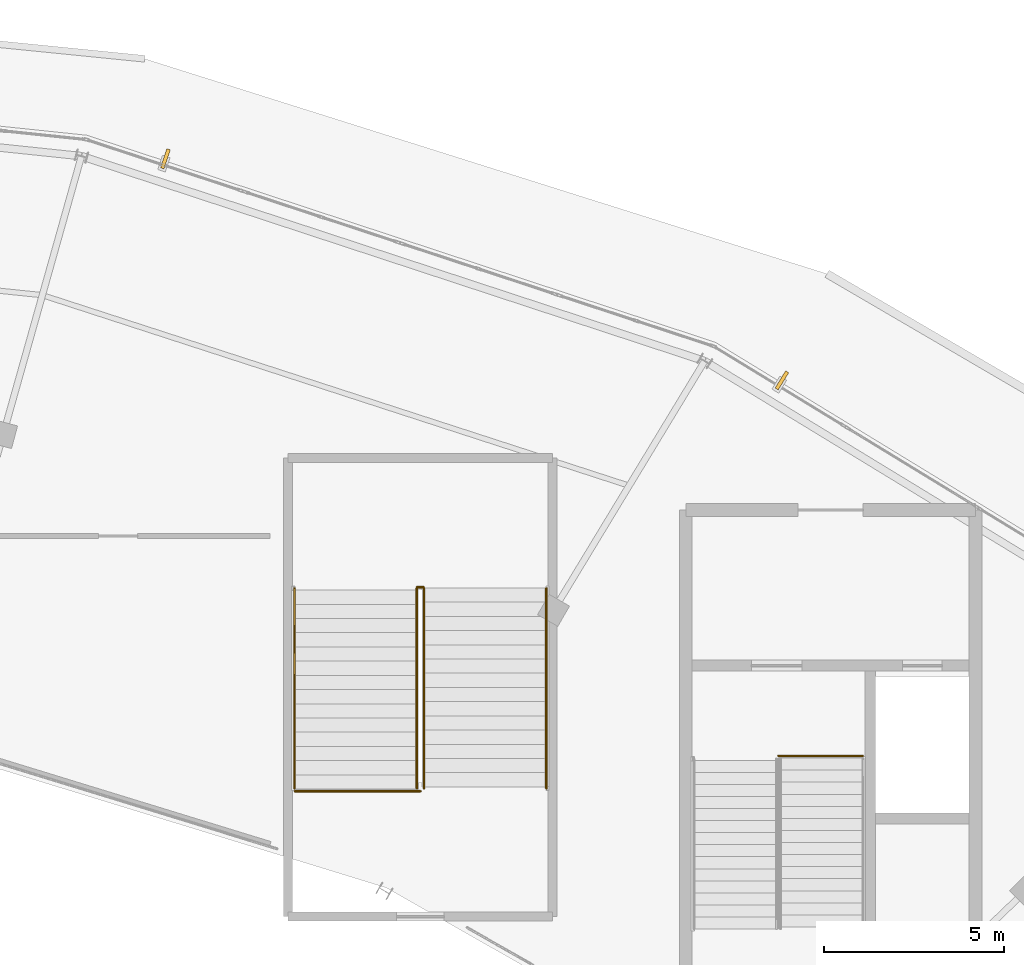
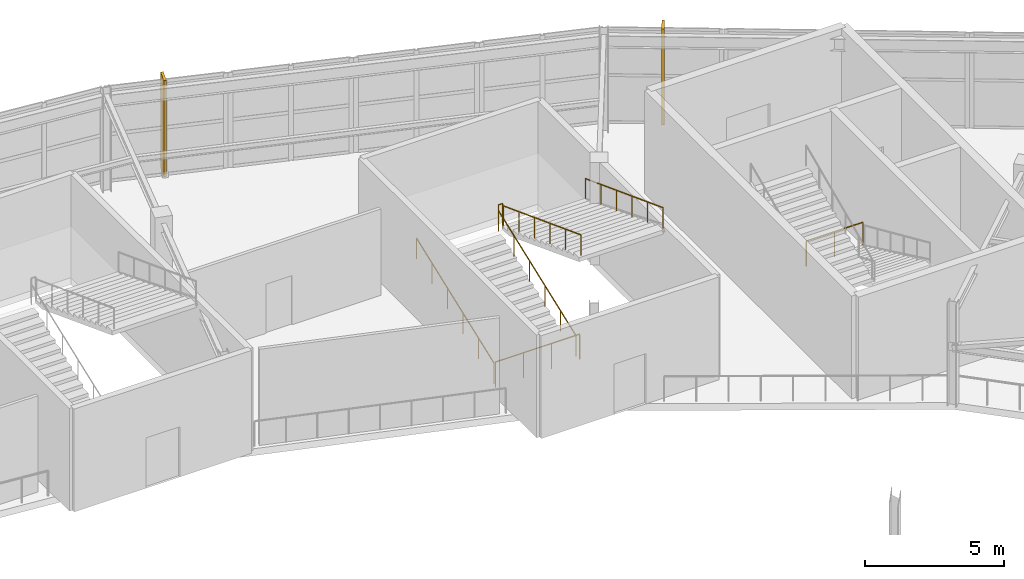
# One storey, part 125 of 126: 7 railings, 2 shading devices.
"""IFC4 building model written with IfcOpenShell, lengths in metres."""

from ifc_helpers import new_model, si_unit, direction, frame, origin, origin_2d, place, context, subcontext, project, spatial, rectangle, circle, extrude, material, layer, layer_set, type_object, element, save


model = new_model("IFC4")

# Units and contexts
model_context = context("Model", 3, precision=1e-05, world=origin(), true_north=direction((0.0, 1.0)))
body_context = subcontext(model_context, "Body", "Model", "MODEL_VIEW")
ifc_project = project(units=[si_unit("LENGTHUNIT", "METRE"), si_unit("AREAUNIT", "SQUARE_METRE"), si_unit("VOLUMEUNIT", "CUBIC_METRE"), si_unit("PLANEANGLEUNIT", "RADIAN"), si_unit("MASSUNIT", "GRAM", prefix="KILO")], contexts=[model_context])

# Site, building, storey
site_placement = place(None, origin())
site = spatial("IfcSite", under=ifc_project, at=site_placement, CompositionType="ELEMENT")
building_placement = place(site_placement, origin())
building = spatial("IfcBuilding", under=site, at=building_placement, Name="Kalgoora Escarpment Arena", CompositionType="ELEMENT")
storey_placement = place(building_placement, frame((0.0, 0.0, 18.89990234375)))
storey = spatial("IfcBuildingStorey", under=building, at=storey_placement, Name="L04", CompositionType="ELEMENT", Elevation=18.89990234375)

# Railings
ifc_material_1 = material(Name="Galvanised & powdercoated tubular steel", Category="steel")
railing_type_1 = type_object("IfcRailingType", Name="RAL-GUARD-1120", PredefinedType="GUARDRAIL", material=ifc_material_1)
railing_1_placement = place(storey_placement, frame((132.68994140625, 102.389892578125, 0.0)))
element("IfcRailing", 1, at=railing_1_placement, inside=storey, type_object=railing_type_1, Name="ST04 L04 floor landing well guard", PredefinedType="GUARDRAIL", context=body_context, shape_type="SweptSolid", body=[
    extrude(circle(Radius=0.02392578125, at=origin_2d()), frame((0.0, 0.0, 1.09619140625), z_axis=(-1.0, 0.0, 0.0), x_axis=(0.0, -1.0, 0.0)), (0.0, 0.0, 1.0), 2.33984375),
    extrude(circle(Radius=0.02099609375, at=origin_2d()), origin(), (0.0, 0.0, 1.0), 1.072021484375),
    extrude(circle(Radius=0.02099609375, at=origin_2d()), frame((-1.169921875, 0.0, 0.0)), (0.0, 0.0, 1.0), 1.072021484375),
    extrude(circle(Radius=0.02099609375, at=origin_2d()), frame((-2.33984375, 0.0, 0.0)), (0.0, 0.0, 1.0), 1.072021484375),
])
railing_2_placement = place(storey_placement, frame((120.31005859375, 107.080078125, 2.25)))
element("IfcRailing", 2, at=railing_2_placement, inside=storey, type_object=railing_type_1, Name="ST12 L04 half-landing well guard", PredefinedType="GUARDRAIL", context=body_context, shape_type="SweptSolid", body=[
    extrude(circle(Radius=0.02392578125, at=origin_2d()), frame((0.0, 0.0, 1.09619140625), z_axis=(1.0, 0.0, 0.0), x_axis=(0.0, 1.0, 0.0)), (0.0, 0.0, 1.0), 0.179931640625),
    extrude(circle(Radius=0.02099609375, at=origin_2d()), origin(), (0.0, 0.0, 1.0), 1.072021484375),
    extrude(circle(Radius=0.02099609375, at=origin_2d()), frame((0.179931640625, 0.0, 0.0)), (0.0, 0.0, 1.0), 1.072021484375),
])
railing_3_placement = place(storey_placement, frame((116.909912109375, 101.409912109375, 0.0)))
element("IfcRailing", 3, at=railing_3_placement, inside=storey, type_object=railing_type_1, Name="ST12 L04 floor landing well guard", PredefinedType="GUARDRAIL", context=body_context, shape_type="SweptSolid", body=[
    extrude(circle(Radius=0.02392578125, at=origin_2d()), frame((0.0, 0.0, 1.09619140625), z_axis=(1.0, 0.0, 0.0), x_axis=(0.0, 1.0, 0.0)), (0.0, 0.0, 1.0), 3.489990234375),
    extrude(circle(Radius=0.02099609375, at=origin_2d()), origin(), (0.0, 0.0, 1.0), 1.072021484375),
    extrude(circle(Radius=0.02099609375, at=origin_2d()), frame((1.163330078125, 0.0, 0.0)), (0.0, 0.0, 1.0), 1.072021484375),
    extrude(circle(Radius=0.02099609375, at=origin_2d()), frame((2.32666015625, 0.0, 0.0)), (0.0, 0.0, 1.0), 1.072021484375),
    extrude(circle(Radius=0.02099609375, at=origin_2d()), frame((3.489990234375, 0.0, 0.0)), (0.0, 0.0, 1.0), 1.072021484375),
])
ifc_material_2 = material(Name="Brushed stainless steel 316 handrail", Category="steel")
railing_type_2 = type_object("IfcRailingType", Name="RAL-HAND-920", PredefinedType="HANDRAIL", material=ifc_material_2)
for number, where, name in (
    (4, (116.89990234375, 101.489990234375, 0.110107421875), "ST12 L04 pitched stair handrail F1L"),
    (5, (120.300048828125, 101.489990234375, 0.110107421875), "ST12 L04 pitched stair handrail F1R"),
):
    element("IfcRailing", number, at=place(storey_placement, frame(where)), inside=storey, type_object=railing_type_2, Name=name, PredefinedType="HANDRAIL", context=body_context, shape_type="SweptSolid", body=[
        extrude(circle(Radius=0.02392578125, at=origin_2d()), frame((0.0, 0.0, 0.89599609375), z_axis=(0.0, 0.935492612948, 0.353346248203), x_axis=(-1.0, 0.0, 0.0)), (0.0, 0.0, 1.0), 5.943359375),
        extrude(circle(Radius=0.02099609375, at=origin_2d()), origin(), (0.0, 0.0, 1.0), 0.871826171875),
        extrude(circle(Radius=0.02099609375, at=origin_2d()), frame((0.0, 1.112060546875, 0.419921875)), (0.0, 0.0, 1.0), 0.871826171875),
        extrude(circle(Radius=0.02099609375, at=origin_2d()), frame((0.0, 2.22412109375, 0.840087890625)), (0.0, 0.0, 1.0), 0.871826171875),
        extrude(circle(Radius=0.02099609375, at=origin_2d()), frame((0.0, 3.3359375, 1.260009765625)), (0.0, 0.0, 1.0), 0.871826171875),
        extrude(circle(Radius=0.02099609375, at=origin_2d()), frame((0.0, 4.447998046875, 1.68017578125)), (0.0, 0.0, 1.0), 0.871826171875),
        extrude(circle(Radius=0.02099609375, at=origin_2d()), frame((0.0, 5.56005859375, 2.10009765625)), (0.0, 0.0, 1.0), 0.871826171875),
    ])
for number, where, name in (
    (6, (120.5, 107.050048828125, 2.360107421875), "ST12 L04 pitched stair handrail F2L"),
    (7, (123.89990234375, 107.050048828125, 2.360107421875), "ST12 L04 pitched stair handrail F2R"),
):
    element("IfcRailing", number, at=place(storey_placement, frame(where)), inside=storey, type_object=railing_type_2, Name=name, PredefinedType="HANDRAIL", context=body_context, shape_type="SweptSolid", body=[
        extrude(circle(Radius=0.02392578125, at=origin_2d()), frame((0.0, 0.0, 0.89599609375), z_axis=(0.0, -0.935492612948, 0.353346248203), x_axis=(1.0, 0.0, 0.0)), (0.0, 0.0, 1.0), 5.943359375),
        extrude(circle(Radius=0.02099609375, at=origin_2d()), origin(), (0.0, 0.0, 1.0), 0.871826171875),
        extrude(circle(Radius=0.02099609375, at=origin_2d()), frame((0.0, -1.112060546875, 0.419921875)), (0.0, 0.0, 1.0), 0.871826171875),
        extrude(circle(Radius=0.02099609375, at=origin_2d()), frame((0.0, -2.22412109375, 0.840087890625)), (0.0, 0.0, 1.0), 0.871826171875),
        extrude(circle(Radius=0.02099609375, at=origin_2d()), frame((0.0, -3.3359375, 1.260009765625)), (0.0, 0.0, 1.0), 0.871826171875),
        extrude(circle(Radius=0.02099609375, at=origin_2d()), frame((0.0, -4.447998046875, 1.68017578125)), (0.0, 0.0, 1.0), 0.871826171875),
        extrude(circle(Radius=0.02099609375, at=origin_2d()), frame((0.0, -5.56005859375, 2.10009765625)), (0.0, 0.0, 1.0), 0.871826171875),
    ])

# Shading devices
ifc_material_3 = material(Name="Champagne anodised extruded aluminium", Category="aluminium")
ifc_layer = layer(ifc_material_3, 0.080078125)
ifc_layer_set = layer_set([ifc_layer], Name="SHD-FIN-CHAMP")
shading_device_type = type_object("IfcShadingDeviceType", Name="SHD-FIN-CHAMP", PredefinedType="USERDEFINED", material=ifc_layer_set)
for number, where, z_axis, x_axis, name in (
    (8, (113.316162109375, 118.98291015625, 0.0), (0.0, 0.0, 1.0), (0.312998047948, 0.949753769132, 0.0), "L04 champagne anodised solar fin 35"),
    (9, (130.44580078125, 112.82666015625, 0.0), (0.0, 0.0, 1.0), (0.521009631841, 0.853550797275, 0.0), "L04 champagne anodised solar fin 36"),
):
    element("IfcShadingDevice", number, at=place(storey_placement, frame(where, z_axis=z_axis, x_axis=x_axis)), inside=storey, type_object=shading_device_type, Name=name, ObjectType="FIN", PredefinedType="USERDEFINED", context=body_context, shape_type="SweptSolid", body=[
        extrude(rectangle(XDim=0.56005859375, YDim=0.10009765625, at=origin_2d()), origin(), (0.0, 0.0, 1.0), 4.2099609375),
    ])

save(model, "model.ifc")
